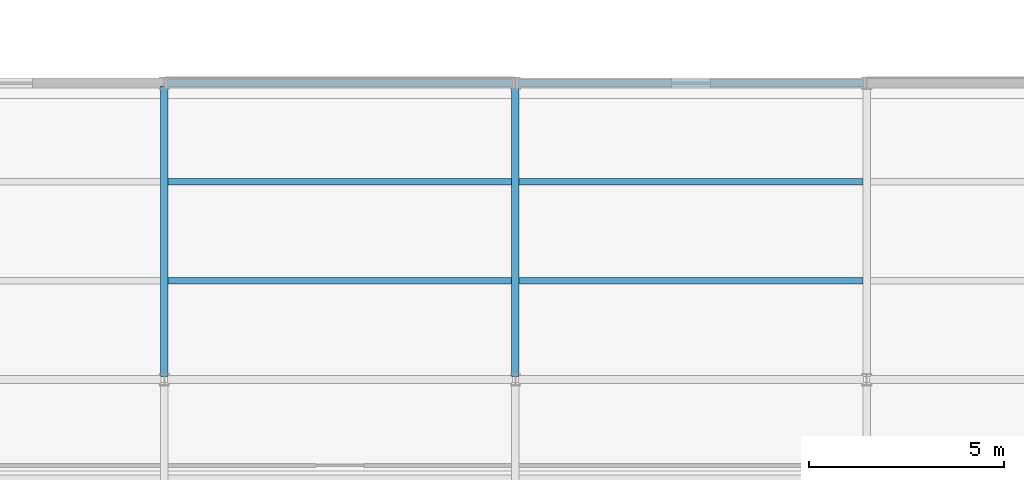
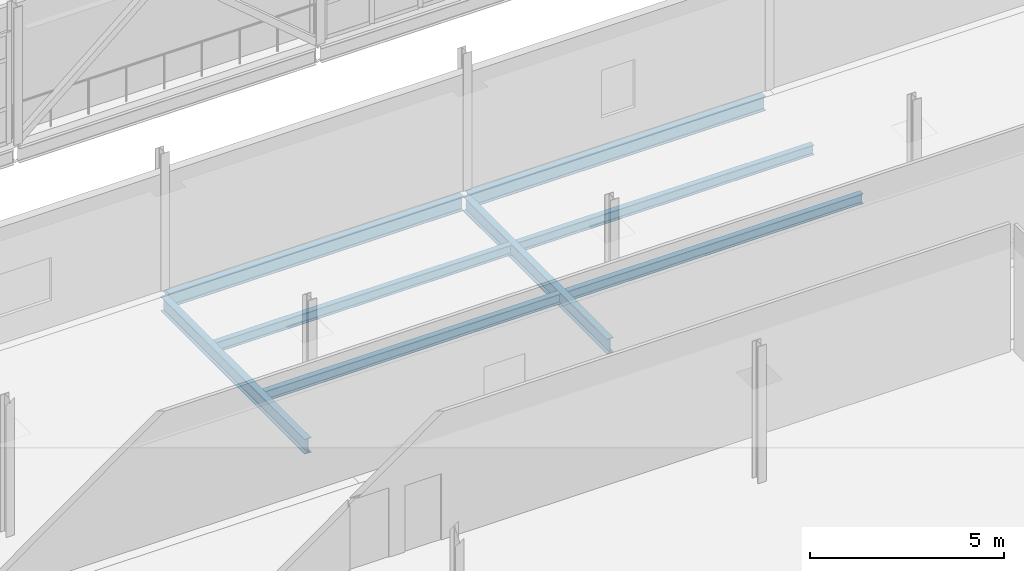
# One storey, part 30 of 174: 8 beams.
"""IFC4 building model written with IfcOpenShell, lengths in metres."""

from ifc_helpers import new_model, si_unit, direction, frame, origin, origin_2d, place, context, subcontext, project, spatial, i_section, extrude, material, material_profile, profile_set, type_object, element, save


model = new_model("IFC4")

# Units and contexts
model_context = context("Model", 3, precision=1e-05, world=origin(), true_north=direction((0.0, 1.0)))
body_context = subcontext(model_context, "Body", "Model", "MODEL_VIEW")
ifc_project = project(units=[si_unit("LENGTHUNIT", "METRE"), si_unit("AREAUNIT", "SQUARE_METRE"), si_unit("VOLUMEUNIT", "CUBIC_METRE"), si_unit("PLANEANGLEUNIT", "RADIAN"), si_unit("MASSUNIT", "GRAM", prefix="KILO")], contexts=[model_context])

# Site, building, storey
site_placement = place(None, origin())
site = spatial("IfcSite", under=ifc_project, at=site_placement, CompositionType="ELEMENT")
building_placement = place(site_placement, origin())
building = spatial("IfcBuilding", under=site, at=building_placement, Name="Caisbarro Railhouse Central Library", CompositionType="ELEMENT")
storey_placement = place(building_placement, frame((0.0, 0.0, 5.0400390625)))
storey = spatial("IfcBuildingStorey", under=building, at=storey_placement, Name="L01", CompositionType="ELEMENT", Elevation=5.0400390625)

# Beams
ifc_material = material(Name="Steel ASTM A572 Grade 50", Category="steel")
ifc_material_profile_1 = material_profile(ifc_material, i_section(OverallWidth=0.194091796875, OverallDepth=0.468994140625, WebThickness=0.0126953125, FlangeThickness=0.0205078125, FilletRadius=0.01806640625, at=origin_2d()), Name="W460X106.0")
ifc_profile_set_1 = profile_set([ifc_material_profile_1], Name="Steel ASTM A572 Grade 50")
beam_type_1 = type_object("IfcBeamType", Name="BM-G07", PredefinedType="BEAM", material=ifc_profile_set_1)
for number, where, z_axis, x_axis, name in (
    (1, (18.0, 15.280029296875, -0.4345703125), (0.0, 1.0, 0.0), (-1.0, 0.0, 0.0), "G07 beam L01 #1113"),
    (2, (27.0, 15.280029296875, -0.4345703125), (0.0, 1.0, 0.0), (-1.0, 0.0, 0.0), "G07 beam L01 #1116"),
):
    element("IfcBeam", number, at=place(storey_placement, frame(where, z_axis=z_axis, x_axis=x_axis)), inside=storey, type_object=beam_type_1, Name=name, PredefinedType="BEAM", context=body_context, shape_type="SweptSolid", body=[
        extrude(i_section(OverallWidth=0.194091796875, OverallDepth=0.468994140625, WebThickness=0.0126953125, FlangeThickness=0.0205078125, FilletRadius=0.01806640625, at=origin_2d()), origin(), (0.0, 0.0, 1.0), 7.43994140625),
    ])
ifc_material_profile_2 = material_profile(ifc_material, i_section(OverallWidth=0.1669921875, OverallDepth=0.31689453125, WebThickness=0.007568359375, FlangeThickness=0.01318359375, FilletRadius=0.011962890625, at=origin_2d()), Name="W310X52.0")
ifc_profile_set_2 = profile_set([ifc_material_profile_2], Name="Steel ASTM A572 Grade 50")
beam_type_2 = type_object("IfcBeamType", Name="BM-J02", PredefinedType="JOIST", material=ifc_profile_set_2)
for number, where, z_axis, x_axis, name in (
    (3, (18.096923828125, 17.7333984375, -0.358642578125), (1.0, 0.0, 0.0), (0.0, 1.0, 0.0), "J02 beam L01 #1139"),
    (4, (18.096923828125, 20.2666015625, -0.358642578125), (1.0, 0.0, 0.0), (0.0, 1.0, 0.0), "J02 beam L01 #1140"),
    (5, (27.096923828125, 17.7333984375, -0.358642578125), (1.0, 0.0, 0.0), (0.0, 1.0, 0.0), "J02 beam L01 #1145"),
    (6, (27.096923828125, 20.2666015625, -0.358642578125), (1.0, 0.0, 0.0), (0.0, 1.0, 0.0), "J02 beam L01 #1146"),
):
    element("IfcBeam", number, at=place(storey_placement, frame(where, z_axis=z_axis, x_axis=x_axis)), inside=storey, type_object=beam_type_2, Name=name, PredefinedType="JOIST", context=body_context, shape_type="SweptSolid", body=[
        extrude(i_section(OverallWidth=0.1669921875, OverallDepth=0.31689453125, WebThickness=0.007568359375, FlangeThickness=0.01318359375, FilletRadius=0.011962890625, at=origin_2d()), origin(), (0.0, 0.0, 1.0), 8.80615234375),
    ])
ifc_material_profile_3 = material_profile(ifc_material, i_section(OverallWidth=0.18994140625, OverallDepth=0.45703125, WebThickness=0.009033203125, FlangeThickness=0.014404296875, FilletRadius=0.01806640625, at=origin_2d()), Name="W460X74.0")
ifc_profile_set_3 = profile_set([ifc_material_profile_3], Name="Steel ASTM A572 Grade 50")
beam_type_3 = type_object("IfcBeamType", Name="BM-SP01", PredefinedType="SPANDREL", material=ifc_profile_set_3)
for number, where, z_axis, x_axis, name in (
    (7, (18.080078125, 22.800048828125, -0.428466796875), (1.0, 0.0, 0.0), (0.0, 1.0, 0.0), "SP01 beam L01 #1101"),
    (8, (27.080078125, 22.800048828125, -0.428466796875), (1.0, 0.0, 0.0), (0.0, 1.0, 0.0), "SP01 beam L01 #1102"),
):
    element("IfcBeam", number, at=place(storey_placement, frame(where, z_axis=z_axis, x_axis=x_axis)), inside=storey, type_object=beam_type_3, Name=name, PredefinedType="SPANDREL", context=body_context, shape_type="SweptSolid", body=[
        extrude(i_section(OverallWidth=0.18994140625, OverallDepth=0.45703125, WebThickness=0.009033203125, FlangeThickness=0.014404296875, FilletRadius=0.01806640625, at=origin_2d()), origin(), (0.0, 0.0, 1.0), 8.83984375),
    ])

save(model, "model.ifc")
